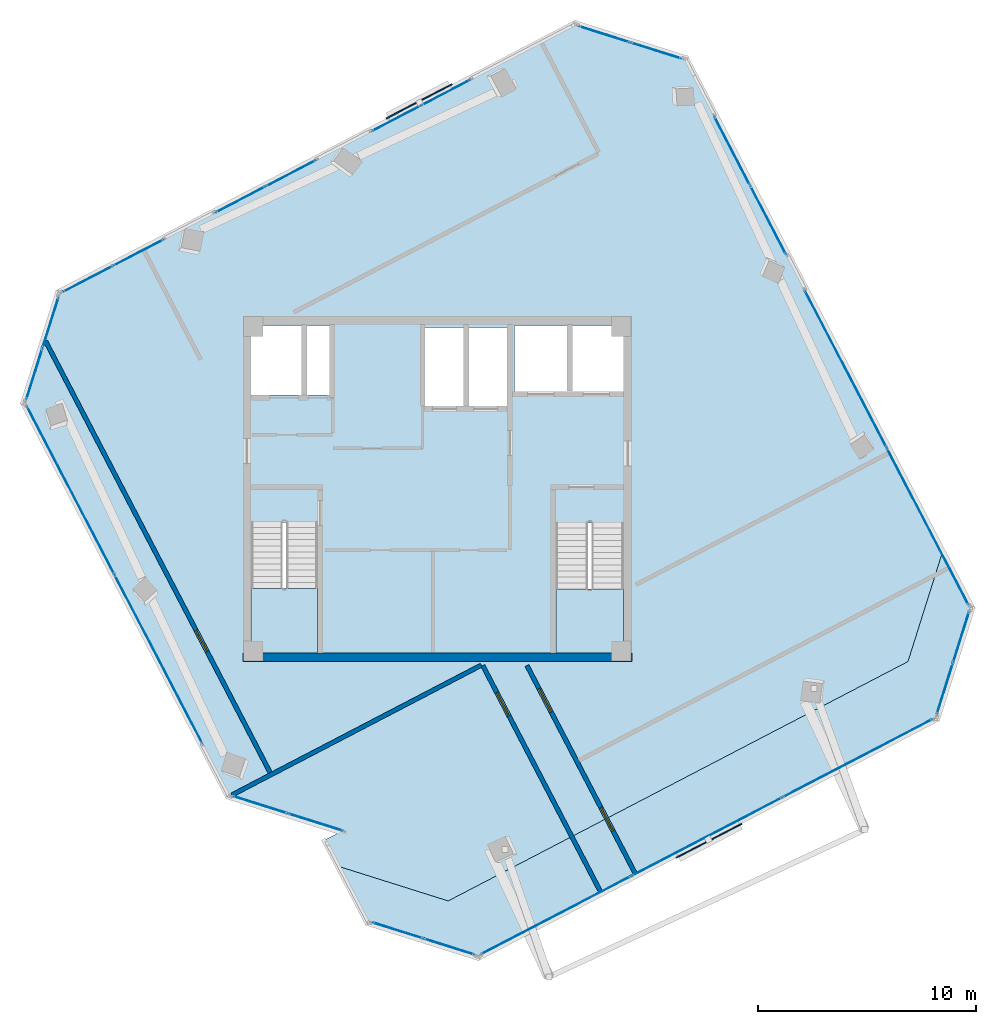
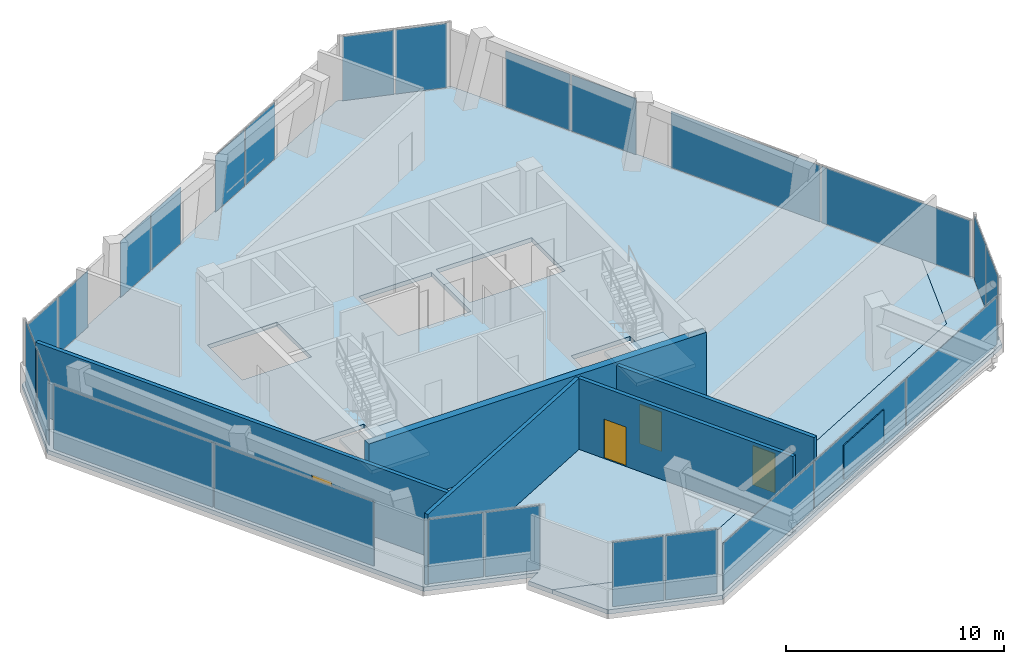
# One storey, part 11 of 16: 27 plates, 5 walls, 4 doors, 4 slabs, 4 openings, 14 elements without a shape of their own.
"""IFC4 building model written with IfcOpenShell, lengths in metres."""

from ifc_helpers import new_model, si_unit, direction, frame, frame_2d, origin, origin_2d, place, context, subcontext, project, spatial, polyline, rectangle, outline, extrude, source, transform, mapped, material, layer, layer_set, type_object, element, fill, aggregate, save


model = new_model("IFC4")

# Units and contexts
model_context = context("Model", 3, precision=1e-05, world=origin(), true_north=direction((0.0, 1.0)))
body_context = subcontext(model_context, "Body", "Model", "MODEL_VIEW")
ifc_project = project(units=[si_unit("LENGTHUNIT", "METRE"), si_unit("AREAUNIT", "SQUARE_METRE"), si_unit("VOLUMEUNIT", "CUBIC_METRE"), si_unit("PLANEANGLEUNIT", "RADIAN"), si_unit("MASSUNIT", "GRAM", prefix="KILO")], contexts=[model_context])

# Site, building, storey
site_placement = place(None, origin())
site = spatial("IfcSite", under=ifc_project, at=site_placement, CompositionType="ELEMENT")
building_placement = place(site_placement, origin())
building = spatial("IfcBuilding", under=site, at=building_placement, Name="Torre Montelarca", CompositionType="ELEMENT")
storey_placement = place(building_placement, frame((0.0, 0.0, 336.60009765625)))
storey = spatial("IfcBuildingStorey", under=building, at=storey_placement, Name="L76", CompositionType="ELEMENT", Elevation=336.60009765625)

# Slabs
ifc_material_1 = material(Name="Concrete C40/50", Category="concrete")
ifc_layer_1 = layer(ifc_material_1, 0.239990234375, Name="Concrete C40/50", Category="concrete")
ifc_layer_set_1 = layer_set([ifc_layer_1], Name="Concrete C40/50")
slab_type_1 = type_object("IfcSlabType", Name="SL-FLR-240", PredefinedType="FLOOR", material=ifc_layer_set_1)
slab_1_placement = place(storey_placement, frame((0.0, 0.0, -0.239990234375)))
element("IfcSlab", 1, at=slab_1_placement, inside=storey, type_object=slab_type_1, Name="L76 Structural Floor Slab", PredefinedType="FLOOR", context=body_context, shape_type="SweptSolid", body=[
    extrude(outline(polyline([(8.35791015625, 17.83056640625), (13.483154296875, 16.214599609375), (12.7734375, 15.84521484375), (13.373779296875, 14.692138671875), (18.4990234375, 13.076171875), (39.60986328125, 24.065673828125), (41.225830078125, 29.19091796875), (29.451416015625, 51.809814453125), (24.325927734375, 53.42578125), (0.55419921875, 41.05078125), (-1.06201171875, 35.925537109375), (8.35791015625, 17.83056640625)]), holes=[polyline([(26.550048828125, 24.449951171875), (23.43994140625, 24.449951171875), (23.43994140625, 30.429931640625), (26.550048828125, 30.429931640625), (26.550048828125, 24.449951171875)]), polyline([(12.5, 24.449951171875), (9.449951171875, 24.449951171875), (9.449951171875, 30.4599609375), (12.5, 30.4599609375), (12.5, 24.449951171875)]), polyline([(21.25, 39.39990234375), (21.25, 35.800048828125), (17.39990234375, 35.800048828125), (17.39990234375, 39.39990234375), (21.25, 39.39990234375)]), polyline([(13.1201171875, 36.300048828125), (9.449951171875, 36.300048828125), (9.449951171875, 39.5), (13.1201171875, 39.5), (13.1201171875, 36.300048828125)]), polyline([(26.60009765625, 36.449951171875), (21.550048828125, 36.449951171875), (21.550048828125, 39.5), (26.60009765625, 39.5), (26.60009765625, 36.449951171875)])]), origin(), (0.0, 0.0, 1.0), 0.239990234375),
])
slab_2_placement = place(storey_placement, frame((0.0, 0.0, -0.239990234375)))
element("IfcSlab", 2, at=slab_2_placement, inside=storey, type_object=slab_type_1, Name="L76 Sliding Tray Winter Garden Floor Slab E1", PredefinedType="FLOOR", context=body_context, shape_type="SweptSolid", body=[
    extrude(outline(polyline([(41.225830078125, 29.19091796875), (39.60986328125, 24.065673828125), (18.4990234375, 13.076171875), (13.373779296875, 14.692138671875), (14.759033203125, 12.031005859375), (19.88427734375, 10.4150390625), (40.9951171875, 21.40478515625), (42.611083984375, 26.530029296875), (41.225830078125, 29.19091796875)])), origin(), (0.0, 0.0, 1.0), 0.239990234375),
])

# Stair, slab
stair_type_1 = type_object("IfcStairType", Name="ST-CORE-ST1", PredefinedType="HALF_TURN_STAIR", material=ifc_material_1)
stair_1_placement = place(storey_placement, origin())
stair_1 = element("IfcStair", 3, at=stair_1_placement, inside=storey, type_object=stair_type_1, Name="L76 Protected Exit Stair ST1", PredefinedType="HALF_TURN_STAIR")
ifc_layer_2 = layer(ifc_material_1, 0.199951171875, Name="Concrete C40/50", Category="concrete")
ifc_layer_set_2 = layer_set([ifc_layer_2], Name="Concrete C40/50")
slab_type_2 = type_object("IfcSlabType", Name="SL-ST-LAND-ST1", PredefinedType="LANDING", material=ifc_layer_set_2)
slab_3_placement = place(storey_placement, frame((0.0, 0.0, 1.89990234375)))
slab_3 = element("IfcSlab", 4, at=slab_3_placement, type_object=slab_type_2, Name="ST1 landing 1", PredefinedType="LANDING", context=body_context, shape_type="SweptSolid", body=[
    extrude(outline(polyline([(9.449951171875, 27.419921875), (9.449951171875, 24.449951171875), (12.5, 24.449951171875), (12.5, 27.419921875), (9.449951171875, 27.419921875)])), origin(), (0.0, 0.0, 1.0), 0.199951171875),
])
aggregate(stair_1, [slab_3])

stair_type_2 = type_object("IfcStairType", Name="ST-CORE-ST2", PredefinedType="HALF_TURN_STAIR", material=ifc_material_1)
stair_2_placement = place(storey_placement, origin())
stair_2 = element("IfcStair", 5, at=stair_2_placement, inside=storey, type_object=stair_type_2, Name="L76 Protected Exit Stair ST2", PredefinedType="HALF_TURN_STAIR")
ifc_layer_3 = layer(ifc_material_1, 0.199951171875, Name="Concrete C40/50", Category="concrete")
ifc_layer_set_3 = layer_set([ifc_layer_3], Name="Concrete C40/50")
slab_type_3 = type_object("IfcSlabType", Name="SL-ST-LAND-ST2", PredefinedType="LANDING", material=ifc_layer_set_3)
slab_4_placement = place(storey_placement, frame((0.0, 0.0, 1.89990234375)))
slab_4 = element("IfcSlab", 6, at=slab_4_placement, type_object=slab_type_3, Name="ST2 landing 1", PredefinedType="LANDING", context=body_context, shape_type="SweptSolid", body=[
    extrude(outline(polyline([(23.43994140625, 27.389892578125), (23.43994140625, 24.449951171875), (26.550048828125, 24.449951171875), (26.550048828125, 27.389892578125), (23.43994140625, 27.389892578125)])), origin(), (0.0, 0.0, 1.0), 0.199951171875),
])
aggregate(stair_2, [slab_4])

# Plates
ifc_material_2 = material(Name="Architectural perforated terracotta ceramic", Category="masonry")
ifc_layer_4 = layer(ifc_material_2, 0.074951171875, Name="Architectural perforated terracotta ceramic", Category="masonry")
ifc_layer_set_4 = layer_set([ifc_layer_4], Name="Architectural perforated terracotta ceramic")
plate_type_1 = type_object("IfcPlateType", Name="SCR-CER-75", PredefinedType="USERDEFINED", material=ifc_layer_set_4)
shared_shape_1 = source(origin(), body_context, "Body", "SweptSolid", [
    extrude(rectangle(XDim=3.39990234375, YDim=0.06005859375, at=origin_2d()), origin(), (0.0, 0.0, 1.0), 1.89990234375),
])
for number, where, z_axis, x_axis, name in (
    (7, (30.4765625, 15.8388671875, 0.5), (0.0, 0.0, 1.0), (0.887010833178, 0.461748613235, 0.0), "L76 Perforated Ceramic Brise-Soleil Screen E6-1"),
    (8, (17.1640625, 49.78759765625, 0.5), (0.0, 0.0, 1.0), (-0.887010027274, -0.46175016136, 0.0), "L76 Perforated Ceramic Brise-Soleil Screen E10-1"),
):
    element("IfcPlate", number, at=place(storey_placement, frame(where, z_axis=z_axis, x_axis=x_axis)), inside=storey, type_object=plate_type_1, Name=name, ObjectType="SOLAR SCREEN", PredefinedType="USERDEFINED", context=body_context, shape_type="MappedRepresentation", body=[
        mapped(shared_shape_1, transform((0.0, 0.0, 0.0), scale=1.0)),
    ])

# Curtain wall, plates
ifc_material_3 = material(Name="Insulated low-E laminated glass", Category="glass")
curtain_wall_type = type_object("IfcCurtainWallType", Name="CW-SYS-Z4", PredefinedType="USERDEFINED", material=ifc_material_3)
curtain_wall_1_placement = place(storey_placement, origin())
curtain_wall_1 = element("IfcCurtainWall", 9, at=curtain_wall_1_placement, inside=storey, type_object=curtain_wall_type, Name="L76 Curtain Wall Run CW-T3-L76-E02-B1", ObjectType="UNITISED GLAZING", PredefinedType="USERDEFINED")
ifc_layer_5 = layer(ifc_material_3, 0.035888671875, Name="Insulated low-E laminated glass", Category="glass")
ifc_layer_set_5 = layer_set([ifc_layer_5], Name="Insulated low-E laminated glass")
plate_type_2 = type_object("IfcPlateType", Name="CWP-GLZ-36", PredefinedType="CURTAIN_PANEL", material=ifc_layer_set_5)
shared_shape_2 = source(origin(), body_context, "Body", "SweptSolid", [
    extrude(rectangle(XDim=2.592529296875, YDim=0.035888671875, at=origin_2d()), origin(), (0.0, 0.0, 1.0), 3.590087890625),
])
plate_1_placement = place(storey_placement, frame((9.86279296875, 17.492431640625, 0.06494140625), z_axis=(0.0, 0.0, 1.0), x_axis=(0.953719450714, -0.300697870509, 0.0)))
plate_1 = element("IfcPlate", 10, at=plate_1_placement, type_object=plate_type_2, Name="CW panel 1.1", PredefinedType="CURTAIN_PANEL", context=body_context, shape_type="MappedRepresentation", body=[
    mapped(shared_shape_2, transform((0.0, 0.0, 0.0), scale=1.0)),
])
plate_2_placement = place(storey_placement, frame((12.406982421875, 16.690185546875, 0.06494140625), z_axis=(0.0, 0.0, 1.0), x_axis=(0.953719450714, -0.300697870509, 0.0)))
plate_2 = element("IfcPlate", 11, at=plate_2_placement, type_object=plate_type_2, Name="CW panel 2.1", PredefinedType="CURTAIN_PANEL", context=body_context, shape_type="MappedRepresentation", body=[
    mapped(shared_shape_2, transform((0.0, 0.0, 0.0), scale=1.0)),
])
aggregate(curtain_wall_1, [plate_1, plate_2])

curtain_wall_2_placement = place(storey_placement, origin())
curtain_wall_2 = element("IfcCurtainWall", 12, at=curtain_wall_2_placement, inside=storey, type_object=curtain_wall_type, Name="L76 Curtain Wall Run CW-T3-L76-E05-B1", ObjectType="UNITISED GLAZING", PredefinedType="USERDEFINED")
shared_shape_3 = source(origin(), body_context, "Body", "SweptSolid", [
    extrude(rectangle(XDim=2.40869140625, YDim=0.035888671875, at=origin_2d()), origin(), (0.0, 0.0, 1.0), 3.590087890625),
])
plate_3_placement = place(storey_placement, frame((16.17626953125, 11.720458984375, 0.06494140625), z_axis=(0.0, 0.0, 1.0), x_axis=(0.953721038655, -0.300692834013, 0.0)))
plate_3 = element("IfcPlate", 13, at=plate_3_placement, type_object=plate_type_2, Name="CW panel 1.1", PredefinedType="CURTAIN_PANEL", context=body_context, shape_type="MappedRepresentation", body=[
    mapped(shared_shape_3, transform((0.0, 0.0, 0.0), scale=1.0)),
])
plate_4_placement = place(storey_placement, frame((18.545166015625, 10.9736328125, 0.06494140625), z_axis=(0.0, 0.0, 1.0), x_axis=(0.953721038655, -0.300692834013, 0.0)))
plate_4 = element("IfcPlate", 14, at=plate_4_placement, type_object=plate_type_2, Name="CW panel 2.1", PredefinedType="CURTAIN_PANEL", context=body_context, shape_type="MappedRepresentation", body=[
    mapped(shared_shape_3, transform((0.0, 0.0, 0.0), scale=1.0)),
])
aggregate(curtain_wall_2, [plate_3, plate_4])

curtain_wall_3_placement = place(storey_placement, origin())
curtain_wall_3 = element("IfcCurtainWall", 15, at=curtain_wall_3_placement, inside=storey, type_object=curtain_wall_type, Name="L76 Curtain Wall Run CW-T3-L76-E07-B1", ObjectType="UNITISED GLAZING", PredefinedType="USERDEFINED")
plate_5_placement = place(storey_placement, frame((41.3056640625, 22.822021484375, 0.06494140625), z_axis=(0.0, 0.0, 1.0), x_axis=(0.300692834013, 0.953721038655, 0.0)))
plate_5 = element("IfcPlate", 16, at=plate_5_placement, type_object=plate_type_2, Name="CW panel 1.1", PredefinedType="CURTAIN_PANEL", context=body_context, shape_type="MappedRepresentation", body=[
    mapped(shared_shape_3, transform((0.0, 0.0, 0.0), scale=1.0)),
])
plate_6_placement = place(storey_placement, frame((42.052490234375, 25.190673828125, 0.06494140625), z_axis=(0.0, 0.0, 1.0), x_axis=(0.300692834013, 0.953721038655, 0.0)))
plate_6 = element("IfcPlate", 17, at=plate_6_placement, type_object=plate_type_2, Name="CW panel 2.1", PredefinedType="CURTAIN_PANEL", context=body_context, shape_type="MappedRepresentation", body=[
    mapped(shared_shape_3, transform((0.0, 0.0, 0.0), scale=1.0)),
])
aggregate(curtain_wall_3, [plate_5, plate_6])

curtain_wall_4_placement = place(storey_placement, origin())
curtain_wall_4 = element("IfcCurtainWall", 18, at=curtain_wall_4_placement, inside=storey, type_object=curtain_wall_type, Name="L76 Curtain Wall Run CW-T3-L76-E09-B1", ObjectType="UNITISED GLAZING", PredefinedType="USERDEFINED")
plate_7_placement = place(storey_placement, frame((28.033935546875, 52.120361328125, 0.06494140625), z_axis=(0.0, 0.0, 1.0), x_axis=(-0.953721038655, 0.300692834013, 0.0)))
plate_7 = element("IfcPlate", 19, at=plate_7_placement, type_object=plate_type_2, Name="CW panel 1.1", PredefinedType="CURTAIN_PANEL", context=body_context, shape_type="MappedRepresentation", body=[
    mapped(shared_shape_3, transform((0.0, 0.0, 0.0), scale=1.0)),
])
plate_8_placement = place(storey_placement, frame((25.665283203125, 52.8671875, 0.06494140625), z_axis=(0.0, 0.0, 1.0), x_axis=(-0.953721038655, 0.300692834013, 0.0)))
plate_8 = element("IfcPlate", 20, at=plate_8_placement, type_object=plate_type_2, Name="CW panel 2.1", PredefinedType="CURTAIN_PANEL", context=body_context, shape_type="MappedRepresentation", body=[
    mapped(shared_shape_3, transform((0.0, 0.0, 0.0), scale=1.0)),
])
aggregate(curtain_wall_4, [plate_7, plate_8])

curtain_wall_5_placement = place(storey_placement, origin())
curtain_wall_5 = element("IfcCurtainWall", 21, at=curtain_wall_5_placement, inside=storey, type_object=curtain_wall_type, Name="L76 Curtain Wall Run CW-T3-L76-E11-B1", ObjectType="UNITISED GLAZING", PredefinedType="USERDEFINED")
plate_9_placement = place(storey_placement, frame((0.243408203125, 39.633544921875, 0.06494140625), z_axis=(0.0, 0.0, 1.0), x_axis=(-0.300692834013, -0.953721038655, 0.0)))
plate_9 = element("IfcPlate", 22, at=plate_9_placement, type_object=plate_type_2, Name="CW panel 1.1", PredefinedType="CURTAIN_PANEL", context=body_context, shape_type="MappedRepresentation", body=[
    mapped(shared_shape_3, transform((0.0, 0.0, 0.0), scale=1.0)),
])
plate_10_placement = place(storey_placement, frame((-0.50341796875, 37.264892578125, 0.06494140625), z_axis=(0.0, 0.0, 1.0), x_axis=(-0.300692834013, -0.953721038655, 0.0)))
plate_10 = element("IfcPlate", 23, at=plate_10_placement, type_object=plate_type_2, Name="CW panel 2.1", PredefinedType="CURTAIN_PANEL", context=body_context, shape_type="MappedRepresentation", body=[
    mapped(shared_shape_3, transform((0.0, 0.0, 0.0), scale=1.0)),
])
aggregate(curtain_wall_5, [plate_9, plate_10])

curtain_wall_6_placement = place(storey_placement, origin())
curtain_wall_6 = element("IfcCurtainWall", 24, at=curtain_wall_6_placement, inside=storey, type_object=curtain_wall_type, Name="L76 Curtain Wall Run CW-T3-L76-E08-B2", ObjectType="UNITISED GLAZING", PredefinedType="USERDEFINED")
shared_shape_4 = source(origin(), body_context, "Body", "SweptSolid", [
    extrude(rectangle(XDim=3.503173828125, YDim=0.035888671875, at=origin_2d()), origin(), (0.0, 0.0, 1.0), 3.14501953125),
])
plate_11_placement = place(storey_placement, frame((33.195068359375, 44.33642578125, 0.06494140625), z_axis=(0.0, 0.0, 1.0), x_axis=(-0.461745861764, 0.887012265498, 0.0)))
plate_11 = element("IfcPlate", 25, at=plate_11_placement, type_object=plate_type_2, Name="CW panel 1.1", PredefinedType="CURTAIN_PANEL", context=body_context, shape_type="MappedRepresentation", body=[
    mapped(shared_shape_4, transform((0.0, 0.0, 0.0), scale=1.0)),
])
plate_12_placement = place(storey_placement, frame((31.542724609375, 47.510498046875, 0.06494140625), z_axis=(0.0, 0.0, 1.0), x_axis=(-0.461745861764, 0.887012265498, 0.0)))
plate_12 = element("IfcPlate", 26, at=plate_12_placement, type_object=plate_type_2, Name="CW panel 2.1", PredefinedType="CURTAIN_PANEL", context=body_context, shape_type="MappedRepresentation", body=[
    mapped(shared_shape_4, transform((0.0, 0.0, 0.0), scale=1.0)),
])
aggregate(curtain_wall_6, [plate_11, plate_12])

curtain_wall_7_placement = place(storey_placement, origin())
curtain_wall_7 = element("IfcCurtainWall", 27, at=curtain_wall_7_placement, inside=storey, type_object=curtain_wall_type, Name="L76 Curtain Wall Run CW-T3-L76-E01-B1", ObjectType="UNITISED GLAZING", PredefinedType="USERDEFINED")
shared_shape_5 = source(origin(), body_context, "Body", "SweptSolid", [
    extrude(rectangle(XDim=8.661865234375, YDim=0.035888671875, at=origin_2d()), origin(), (0.0, 0.0, 1.0), 3.590087890625),
])
plate_13_placement = place(storey_placement, frame((1.16455078125, 31.930419921875, 0.06494140625), z_axis=(0.0, 0.0, 1.0), x_axis=(0.461748853009, -0.88701070836, 0.0)))
plate_13 = element("IfcPlate", 28, at=plate_13_placement, type_object=plate_type_2, Name="CW panel 1.1", PredefinedType="CURTAIN_PANEL", context=body_context, shape_type="MappedRepresentation", body=[
    mapped(shared_shape_5, transform((0.0, 0.0, 0.0), scale=1.0)),
])
plate_14_placement = place(storey_placement, frame((5.19873046875, 24.180908203125, 0.06494140625), z_axis=(0.0, 0.0, 1.0), x_axis=(0.461748853009, -0.88701070836, 0.0)))
plate_14 = element("IfcPlate", 29, at=plate_14_placement, type_object=plate_type_2, Name="CW panel 2.1", PredefinedType="CURTAIN_PANEL", context=body_context, shape_type="MappedRepresentation", body=[
    mapped(shared_shape_5, transform((0.0, 0.0, 0.0), scale=1.0)),
])
aggregate(curtain_wall_7, [plate_13, plate_14])

curtain_wall_8_placement = place(storey_placement, origin())
curtain_wall_8 = element("IfcCurtainWall", 30, at=curtain_wall_8_placement, inside=storey, type_object=curtain_wall_type, Name="L76 Curtain Wall Run CW-T3-L76-E06-B1", ObjectType="UNITISED GLAZING", PredefinedType="USERDEFINED")
shared_shape_6 = source(origin(), body_context, "Body", "SweptSolid", [
    extrude(rectangle(XDim=7.710205078125, YDim=0.035888671875, at=origin_2d()), origin(), (0.0, 0.0, 1.0), 2.64501953125),
])
plate_15_placement = place(storey_placement, frame((23.457275390625, 12.421630859375, 0.06494140625), z_axis=(0.0, 0.0, 1.0), x_axis=(0.887012371087, 0.461745658928, 0.0)))
plate_15 = element("IfcPlate", 31, at=plate_15_placement, type_object=plate_type_2, Name="CW panel 1.1", PredefinedType="CURTAIN_PANEL", context=body_context, shape_type="MappedRepresentation", body=[
    mapped(shared_shape_6, transform((0.0, 0.0, 0.0), scale=1.0)),
])
plate_16_placement = place(storey_placement, frame((37.302001953125, 19.628662109375, 0.06494140625), z_axis=(0.0, 0.0, 1.0), x_axis=(0.887012371087, 0.461745658928, 0.0)))
plate_16 = element("IfcPlate", 32, at=plate_16_placement, type_object=plate_type_2, Name="CW panel 3.1", PredefinedType="CURTAIN_PANEL", context=body_context, shape_type="MappedRepresentation", body=[
    mapped(shared_shape_6, transform((0.0, 0.0, 0.0), scale=1.0)),
])
shared_shape_7 = source(origin(), body_context, "Body", "SweptSolid", [
    extrude(rectangle(XDim=7.747802734375, YDim=0.035888671875, at=origin_2d()), origin(), (0.0, 0.0, 1.0), 2.64501953125),
])
plate_17_placement = place(storey_placement, frame((30.379638671875, 16.025146484375, 0.06494140625), z_axis=(0.0, 0.0, 1.0), x_axis=(0.887012371087, 0.461745658928, 0.0)))
plate_17 = element("IfcPlate", 33, at=plate_17_placement, type_object=plate_type_2, Name="CW panel 2.1", PredefinedType="CURTAIN_PANEL", context=body_context, shape_type="MappedRepresentation", body=[
    mapped(shared_shape_7, transform((0.0, 0.0, 0.0), scale=1.0)),
])
aggregate(curtain_wall_8, [plate_15, plate_17, plate_16])

curtain_wall_9_placement = place(storey_placement, origin())
curtain_wall_9 = element("IfcCurtainWall", 34, at=curtain_wall_9_placement, inside=storey, type_object=curtain_wall_type, Name="L76 Curtain Wall Run CW-T3-L76-E08-B1", ObjectType="UNITISED GLAZING", PredefinedType="USERDEFINED")
shared_shape_8 = source(origin(), body_context, "Body", "SweptSolid", [
    extrude(rectangle(XDim=8.08251953125, YDim=0.035888671875, at=origin_2d()), origin(), (0.0, 0.0, 1.0), 3.14501953125),
])
plate_18_placement = place(storey_placement, frame((40.5185546875, 30.26806640625, 0.06494140625), z_axis=(0.0, 0.0, 1.0), x_axis=(-0.461745932792, 0.887012228523, 0.0)))
plate_18 = element("IfcPlate", 35, at=plate_18_placement, type_object=plate_type_2, Name="CW panel 1.1", PredefinedType="CURTAIN_PANEL", context=body_context, shape_type="MappedRepresentation", body=[
    mapped(shared_shape_8, transform((0.0, 0.0, 0.0), scale=1.0)),
])
plate_19_placement = place(storey_placement, frame((36.751953125, 37.50390625, 0.06494140625), z_axis=(0.0, 0.0, 1.0), x_axis=(-0.461745932792, 0.887012228523, 0.0)))
plate_19 = element("IfcPlate", 36, at=plate_19_placement, type_object=plate_type_2, Name="CW panel 2.1", PredefinedType="CURTAIN_PANEL", context=body_context, shape_type="MappedRepresentation", body=[
    mapped(shared_shape_8, transform((0.0, 0.0, 0.0), scale=1.0)),
])
aggregate(curtain_wall_9, [plate_18, plate_19])

curtain_wall_10_placement = place(storey_placement, origin())
curtain_wall_10 = element("IfcCurtainWall", 37, at=curtain_wall_10_placement, inside=storey, type_object=curtain_wall_type, Name="L76 Curtain Wall Run CW-T3-L76-E10-B1", ObjectType="UNITISED GLAZING", PredefinedType="USERDEFINED")
shared_shape_9 = source(origin(), body_context, "Body", "SweptSolid", [
    extrude(rectangle(XDim=2.489990234375, YDim=0.035888671875, at=origin_2d()), origin(), (0.0, 0.0, 1.0), 3.14501953125),
])
plate_20_placement = place(storey_placement, frame((18.398681640625, 50.193603515625, 0.06494140625), z_axis=(0.0, 0.0, 1.0), x_axis=(-0.887007210172, -0.461755572898, 0.0)))
plate_20 = element("IfcPlate", 38, at=plate_20_placement, type_object=plate_type_2, Name="CW panel 1.1", PredefinedType="CURTAIN_PANEL", context=body_context, shape_type="MappedRepresentation", body=[
    mapped(shared_shape_9, transform((0.0, 0.0, 0.0), scale=1.0)),
])
plate_21_placement = place(storey_placement, frame((16.12353515625, 49.00927734375, 0.06494140625), z_axis=(0.0, 0.0, 1.0), x_axis=(-0.887007210172, -0.461755572898, 0.0)))
plate_21 = element("IfcPlate", 39, at=plate_21_placement, type_object=plate_type_2, Name="CW panel 2.1", PredefinedType="CURTAIN_PANEL", context=body_context, shape_type="MappedRepresentation", body=[
    mapped(shared_shape_9, transform((0.0, 0.0, 0.0), scale=1.0)),
])
aggregate(curtain_wall_10, [plate_20, plate_21])

curtain_wall_11_placement = place(storey_placement, origin())
curtain_wall_11 = element("IfcCurtainWall", 40, at=curtain_wall_11_placement, inside=storey, type_object=curtain_wall_type, Name="L76 Curtain Wall Run CW-T3-L76-E10-B2", ObjectType="UNITISED GLAZING", PredefinedType="USERDEFINED")
shared_shape_10 = source(origin(), body_context, "Body", "SweptSolid", [
    extrude(rectangle(XDim=2.5361328125, YDim=0.035888671875, at=origin_2d()), origin(), (0.0, 0.0, 1.0), 3.14501953125),
])
plate_22_placement = place(storey_placement, frame((11.281982421875, 46.489013671875, 0.06494140625), z_axis=(0.0, 0.0, 1.0), x_axis=(-0.887006229468, -0.461757456773, 0.0)))
plate_22 = element("IfcPlate", 41, at=plate_22_placement, type_object=plate_type_2, Name="CW panel 1.1", PredefinedType="CURTAIN_PANEL", context=body_context, shape_type="MappedRepresentation", body=[
    mapped(shared_shape_10, transform((0.0, 0.0, 0.0), scale=1.0)),
])
plate_23_placement = place(storey_placement, frame((8.9658203125, 45.283203125, 0.06494140625), z_axis=(0.0, 0.0, 1.0), x_axis=(-0.887006229468, -0.461757456773, 0.0)))
plate_23 = element("IfcPlate", 42, at=plate_23_placement, type_object=plate_type_2, Name="CW panel 2.1", PredefinedType="CURTAIN_PANEL", context=body_context, shape_type="MappedRepresentation", body=[
    mapped(shared_shape_10, transform((0.0, 0.0, 0.0), scale=1.0)),
])
aggregate(curtain_wall_11, [plate_22, plate_23])

curtain_wall_12_placement = place(storey_placement, origin())
curtain_wall_12 = element("IfcCurtainWall", 43, at=curtain_wall_12_placement, inside=storey, type_object=curtain_wall_type, Name="L76 Curtain Wall Run CW-T3-L76-E10-B3", ObjectType="UNITISED GLAZING", PredefinedType="USERDEFINED")
shared_shape_11 = source(origin(), body_context, "Body", "SweptSolid", [
    extrude(rectangle(XDim=2.53955078125, YDim=0.035888671875, at=origin_2d()), origin(), (0.0, 0.0, 1.0), 3.14501953125),
])
plate_24_placement = place(storey_placement, frame((4.273193359375, 42.84033203125, 0.06494140625), z_axis=(0.0, 0.0, 1.0), x_axis=(-0.887015764297, -0.46173914052, 0.0)))
plate_24 = element("IfcPlate", 44, at=plate_24_placement, type_object=plate_type_2, Name="CW panel 1.1", PredefinedType="CURTAIN_PANEL", context=body_context, shape_type="MappedRepresentation", body=[
    mapped(shared_shape_11, transform((0.0, 0.0, 0.0), scale=1.0)),
])
plate_25_placement = place(storey_placement, frame((1.9541015625, 41.633056640625, 0.06494140625), z_axis=(0.0, 0.0, 1.0), x_axis=(-0.887015764297, -0.46173914052, 0.0)))
plate_25 = element("IfcPlate", 45, at=plate_25_placement, type_object=plate_type_2, Name="CW panel 2.1", PredefinedType="CURTAIN_PANEL", context=body_context, shape_type="MappedRepresentation", body=[
    mapped(shared_shape_11, transform((0.0, 0.0, 0.0), scale=1.0)),
])
aggregate(curtain_wall_12, [plate_24, plate_25])

# Wall
ifc_layer_6 = layer(ifc_material_1, 0.3798828125, Name="Concrete C40/50", Category="concrete")
ifc_layer_set_6 = layer_set([ifc_layer_6], Name="Concrete C40/50")
wall_type_1 = type_object("IfcWallType", Name="CW-SHEAR-380", PredefinedType="SHEAR", material=ifc_layer_set_6)
wall_1_placement = place(storey_placement, frame((9.070068359375, 24.260009765625, 0.0), z_axis=(0.0, 0.0, 1.0), x_axis=(1.0, 0.0, 0.0)))
element("IfcWall", 46, at=wall_1_placement, inside=storey, type_object=wall_type_1, Name="L76 Core Shear Wall CW-S1", PredefinedType="SHEAR", context=body_context, shape_type="SweptSolid", body=[
    extrude(rectangle(XDim=17.85986328125, YDim=0.3798828125, at=frame_2d((8.929931640625, 0.0))), origin(), (0.0, 0.0, 1.0), 3.9599609375),
])

# Wall, opening, door
ifc_material_4 = material(Name="Gypsum fireboard and rockwool on steel stud", Category="steel")
ifc_layer_7 = layer(ifc_material_4, 0.199951171875, Name="Gypsum fireboard and rockwool on steel stud", Category="steel")
ifc_layer_set_7 = layer_set([ifc_layer_7], Name="Gypsum fireboard and rockwool on steel stud")
wall_type_2 = type_object("IfcWallType", Name="PW-FIRE-200", PredefinedType="SOLIDWALL", material=ifc_layer_set_7)
wall_2_placement = place(storey_placement, frame((0.013427734375, 38.776123046875, 0.0), z_axis=(0.0, 0.0, 1.0), x_axis=(0.461746796058, -0.887011779138, 0.0)))
wall_2 = element("IfcWall", 47, at=wall_2_placement, inside=storey, type_object=wall_type_2, Name="L76 Interior Partition W-L76-REFS", PredefinedType="SOLIDWALL", context=body_context, shape_type="SweptSolid", body=[
    extrude(rectangle(XDim=22.391845703125, YDim=0.199951171875, at=frame_2d((11.19580078125, 0.0))), origin(), (0.0, 0.0, 1.0), 3.9599609375),
])
opening_1_placement = place(wall_2_placement, frame((14.969970703125, 0.0, 0.0)))
opening_1 = element("IfcOpeningElement", 48, at=opening_1_placement, cuts=wall_2, Name="Opening FD-110", PredefinedType="OPENING", context=body_context, shape_type="SweptSolid", body=[
    extrude(rectangle(XDim=1.10009765625, YDim=2.199951171875, at=frame_2d((0.550048828125, 1.10009765625))), frame((0.0, 0.10986328125, 0.0), z_axis=(0.0, -1.0, 0.0), x_axis=(1.0, 0.0, 0.0)), (0.0, 0.0, 1.0), 0.219970703125),
])
ifc_material_5 = material(Name="Timber fire-rated suite door", Category="wood")
door_type_1 = type_object("IfcDoorType", Name="DR-FIRE-110", OperationType="NOTDEFINED", PredefinedType="DOOR", material=ifc_material_5)
shared_shape_12 = source(origin(), body_context, "Body", "SweptSolid", [
    extrude(rectangle(XDim=1.10009765625, YDim=2.199951171875, at=frame_2d((0.550048828125, 1.10009765625))), frame((0.0, 0.02490234375, 0.0), z_axis=(0.0, -1.0, 0.0), x_axis=(1.0, 0.0, 0.0)), (0.0, 0.0, 1.0), 0.050048828125),
])
door_1_placement = place(opening_1_placement, origin())
door_1 = element("IfcDoor", 49, at=door_1_placement, inside=storey, type_object=door_type_1, Name="L76 Interior Door 05", OperationType="SINGLE_SWING_RIGHT", OverallHeight=2.199951171875, OverallWidth=1.10009765625, PredefinedType="DOOR", context=body_context, shape_type="MappedRepresentation", body=[
    mapped(shared_shape_12, transform((0.0, 0.0, 0.0), scale=1.0)),
])
fill(opening_1, door_1)

# Wall
wall_3_placement = place(storey_placement, frame((8.56884765625, 17.9404296875, 0.0), z_axis=(0.0, 0.0, 1.0), x_axis=(0.88700833088, 0.461753420073, 0.0)))
element("IfcWall", 50, at=wall_3_placement, inside=storey, type_object=wall_type_2, Name="L76 Interior Partition W-L76-REFE", PredefinedType="SOLIDWALL", context=body_context, shape_type="SweptSolid", body=[
    extrude(rectangle(XDim=12.909912109375, YDim=0.199951171875, at=frame_2d((6.455078125, 0.0))), origin(), (0.0, 0.0, 1.0), 3.9599609375),
])

# Wall, opening, door
wall_4_placement = place(storey_placement, frame((20.087890625, 23.884521484375, 0.0), z_axis=(0.0, 0.0, 1.0), x_axis=(0.461735279655, -0.887017774073, 0.0)))
wall_4 = element("IfcWall", 51, at=wall_4_placement, inside=storey, type_object=wall_type_2, Name="L76 Interior Partition W-L76-CHILN", PredefinedType="SOLIDWALL", context=body_context, shape_type="SweptSolid", body=[
    extrude(rectangle(XDim=11.673583984375, YDim=0.199951171875, at=frame_2d((5.8369140625, 0.0))), origin(), (0.0, 0.0, 1.0), 3.9599609375),
])
opening_2_placement = place(wall_4_placement, frame((1.39990234375, 0.0, 0.0)))
opening_2 = element("IfcOpeningElement", 52, at=opening_2_placement, cuts=wall_4, Name="Opening FD-120", PredefinedType="OPENING", context=body_context, shape_type="SweptSolid", body=[
    extrude(rectangle(XDim=1.199951171875, YDim=2.199951171875, at=frame_2d((0.60009765625, 1.10009765625))), frame((0.0, 0.10986328125, 0.0), z_axis=(0.0, -1.0, 0.0), x_axis=(1.0, 0.0, 0.0)), (0.0, 0.0, 1.0), 0.219970703125),
])
ifc_material_6 = material(Name="Galvanized steel fire door", Category="steel")
door_type_2 = type_object("IfcDoorType", Name="DR-FIRE-120", OperationType="NOTDEFINED", PredefinedType="DOOR", material=ifc_material_6)
shared_shape_13 = source(origin(), body_context, "Body", "SweptSolid", [
    extrude(rectangle(XDim=1.199951171875, YDim=2.199951171875, at=frame_2d((0.60009765625, 1.10009765625))), frame((0.0, 0.02490234375, 0.0), z_axis=(0.0, -1.0, 0.0), x_axis=(1.0, 0.0, 0.0)), (0.0, 0.0, 1.0), 0.050048828125),
])
door_2_placement = place(opening_2_placement, origin())
door_2 = element("IfcDoor", 53, at=door_2_placement, inside=storey, type_object=door_type_2, Name="L76 Interior Door 06", OperationType="SINGLE_SWING_RIGHT", OverallHeight=2.199951171875, OverallWidth=1.199951171875, PredefinedType="DOOR", context=body_context, shape_type="MappedRepresentation", body=[
    mapped(shared_shape_13, transform((0.0, 0.0, 0.0), scale=1.0)),
])
fill(opening_2, door_2)

# Wall, openings, doors
wall_5_placement = place(storey_placement, frame((22.1171875, 23.884521484375, 0.0), z_axis=(0.0, 0.0, 1.0), x_axis=(0.461743612554, -0.88701343635, 0.0)))
wall_5 = element("IfcWall", 54, at=wall_5_placement, inside=storey, type_object=wall_type_2, Name="L76 Interior Partition W-L76-AHUS", PredefinedType="SOLIDWALL", context=body_context, shape_type="SweptSolid", body=[
    extrude(rectangle(XDim=10.736572265625, YDim=0.199951171875, at=frame_2d((5.3681640625, 0.0))), origin(), (0.0, 0.0, 1.0), 3.9599609375),
])
opening_3_placement = place(wall_5_placement, frame((1.199951171875, 0.0, 0.0)))
opening_3 = element("IfcOpeningElement", 55, at=opening_3_placement, cuts=wall_5, Name="Opening FD-120", PredefinedType="OPENING", context=body_context, shape_type="SweptSolid", body=[
    extrude(rectangle(XDim=1.199951171875, YDim=2.199951171875, at=frame_2d((0.60009765625, 1.10009765625))), frame((0.0, 0.10986328125, 0.0), z_axis=(0.0, -1.0, 0.0), x_axis=(1.0, 0.0, 0.0)), (0.0, 0.0, 1.0), 0.219970703125),
])
opening_4_placement = place(wall_5_placement, frame((7.35009765625, 0.0, 0.0)))
opening_4 = element("IfcOpeningElement", 56, at=opening_4_placement, cuts=wall_5, Name="Opening FD-120", PredefinedType="OPENING", context=body_context, shape_type="SweptSolid", body=[
    extrude(rectangle(XDim=1.199951171875, YDim=2.199951171875, at=frame_2d((0.60009765625, 1.10009765625))), frame((0.0, 0.10986328125, 0.0), z_axis=(0.0, -1.0, 0.0), x_axis=(1.0, 0.0, 0.0)), (0.0, 0.0, 1.0), 0.219970703125),
])
door_3_placement = place(opening_3_placement, origin())
door_3 = element("IfcDoor", 57, at=door_3_placement, inside=storey, type_object=door_type_2, Name="L76 Interior Door 07", OperationType="SINGLE_SWING_RIGHT", OverallHeight=2.199951171875, OverallWidth=1.199951171875, PredefinedType="DOOR", context=body_context, shape_type="MappedRepresentation", body=[
    mapped(shared_shape_13, transform((0.0, 0.0, 0.0), scale=1.0)),
])
fill(opening_3, door_3)
door_4_placement = place(opening_4_placement, origin())
door_4 = element("IfcDoor", 58, at=door_4_placement, inside=storey, type_object=door_type_2, Name="L76 Interior Door 08", OperationType="SINGLE_SWING_LEFT", OverallHeight=2.199951171875, OverallWidth=1.199951171875, PredefinedType="DOOR", context=body_context, shape_type="MappedRepresentation", body=[
    mapped(shared_shape_13, transform((0.0, 0.0, 0.0), scale=1.0)),
])
fill(opening_4, door_4)

save(model, "model.ifc")
